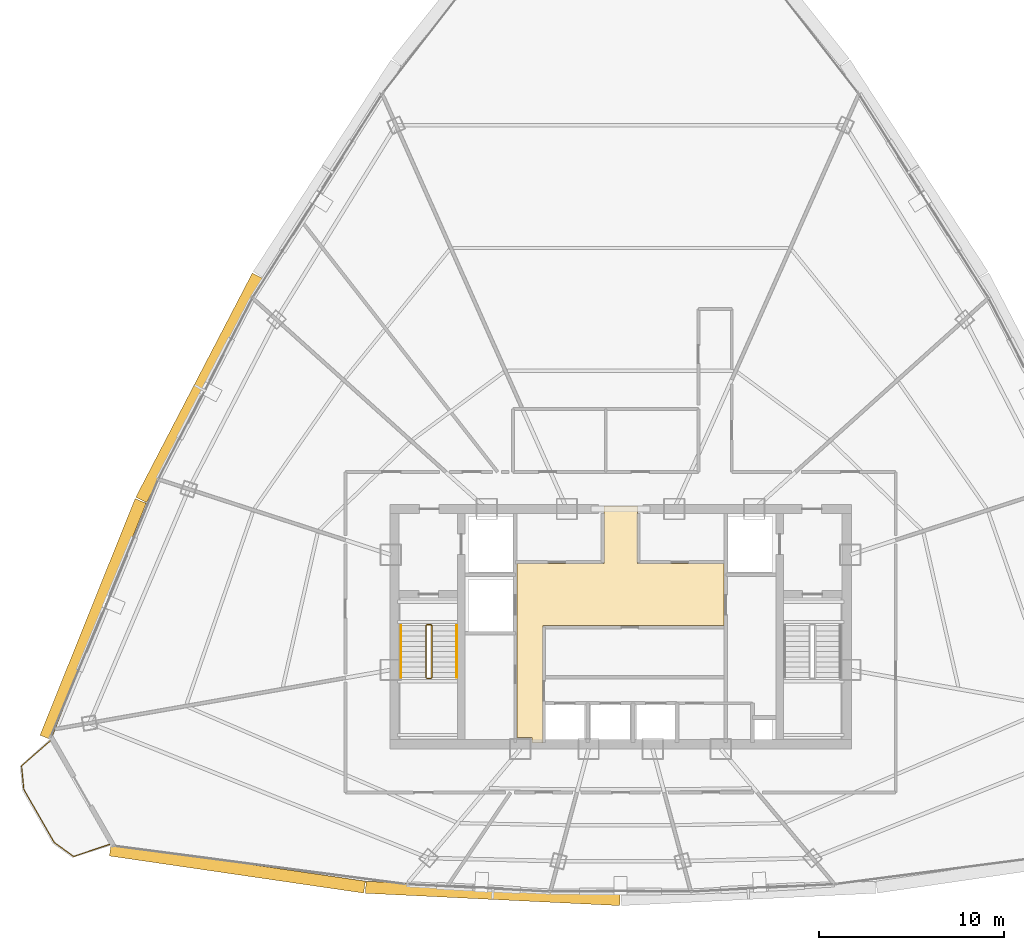
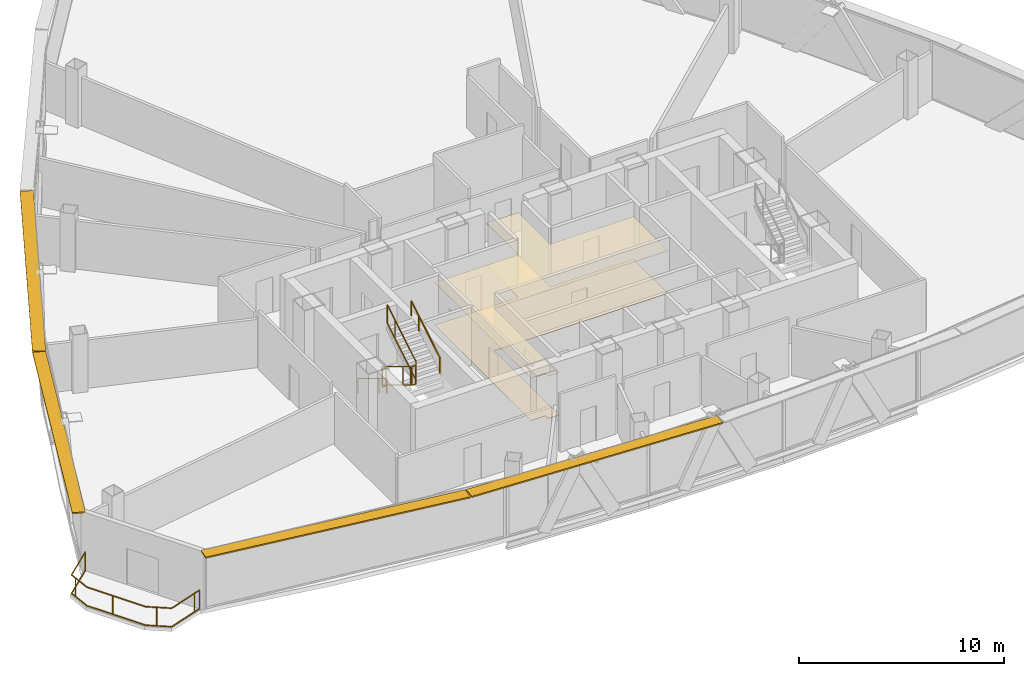
# One storey, part 31 of 33: 7 railings, 4 shading devices, 2 coverings.
"""IFC4 building model written with IfcOpenShell, lengths in metres."""

from ifc_helpers import new_model, si_unit, direction, frame, origin, origin_2d, place, context, subcontext, project, spatial, polyline, rectangle, outline, extrude, source, transform, mapped, material, layer, layer_set, type_object, element, save


model = new_model("IFC4")

# Units and contexts
model_context = context("Model", 3, precision=1e-05, world=origin(), true_north=direction((0.0, 1.0)))
body_context = subcontext(model_context, "Body", "Model", "MODEL_VIEW")
ifc_project = project(units=[si_unit("LENGTHUNIT", "METRE"), si_unit("AREAUNIT", "SQUARE_METRE"), si_unit("VOLUMEUNIT", "CUBIC_METRE"), si_unit("PLANEANGLEUNIT", "RADIAN"), si_unit("MASSUNIT", "GRAM", prefix="KILO"), si_unit("THERMODYNAMICTEMPERATUREUNIT", "KELVIN"), si_unit("POWERUNIT", "WATT")], contexts=[model_context])

# Site, building, storey
site_placement = place(None, origin())
site = spatial("IfcSite", under=ifc_project, at=site_placement, CompositionType="ELEMENT")
building_placement = place(site_placement, origin())
building = spatial("IfcBuilding", under=site, at=building_placement, Name="Yunzhuo Pagoda Commons", CompositionType="ELEMENT")
storey_placement = place(building_placement, frame((0.0, 0.0, 307.39990234375)))
storey = spatial("IfcBuildingStorey", under=building, at=storey_placement, Name="L77", CompositionType="ELEMENT", Elevation=307.39990234375)

# Coverings
ifc_material_1 = material(Name="Micro-perforated metal baffle ceiling")
ifc_layer_1 = layer(ifc_material_1, 0.034912109375)
ifc_layer_set_1 = layer_set([ifc_layer_1], Name="Micro-perforated metal baffle ceiling")
covering_type_1 = type_object("IfcCoveringType", Name="COV-CL3 Ceiling 35", PredefinedType="CEILING", material=ifc_layer_set_1)
covering_1_placement = place(storey_placement, frame((0.0, 0.0, 2.52001953125)))
element("IfcCovering", 1, at=covering_1_placement, inside=storey, type_object=covering_type_1, Name="L77 lift lobby acoustic ceiling", PredefinedType="CEILING", context=body_context, shape_type="SweptSolid", body=[
    extrude(outline(polyline([(43.207763671875, 27.85009765625), (43.201904296875, 27.864013671875), (43.187744140625, 27.8701171875), (42.39990234375, 27.8701171875), (42.39990234375, 33.89990234375), (42.39990234375, 37.25), (47.10009765625, 37.25), (47.10009765625, 40.35009765625), (48.89990234375, 40.35009765625), (48.89990234375, 37.25), (53.580078125, 37.25), (53.580078125, 33.89990234375), (43.820068359375, 33.89990234375), (43.820068359375, 27.60009765625), (43.207763671875, 27.60009765625), (43.207763671875, 27.85009765625)])), origin(), (0.0, 0.0, 1.0), 0.03515625),
])
ifc_material_2 = material(Name="Resilient acoustic studio flooring")
ifc_layer_2 = layer(ifc_material_2, 0.01806640625)
ifc_layer_set_2 = layer_set([ifc_layer_2], Name="Resilient acoustic studio flooring")
covering_type_2 = type_object("IfcCoveringType", Name="COV-FL3 Flooring 18", PredefinedType="FLOORING", material=ifc_layer_set_2)
covering_2_placement = place(storey_placement, origin())
element("IfcCovering", 2, at=covering_2_placement, inside=storey, type_object=covering_type_2, Name="L77 lift lobby flooring", PredefinedType="FLOORING", context=body_context, shape_type="SweptSolid", body=[
    extrude(outline(polyline([(43.207763671875, 27.85009765625), (43.201904296875, 27.864013671875), (43.187744140625, 27.8701171875), (42.39990234375, 27.8701171875), (42.39990234375, 33.89990234375), (42.39990234375, 37.25), (47.10009765625, 37.25), (47.10009765625, 40.35009765625), (48.89990234375, 40.35009765625), (48.89990234375, 37.25), (53.580078125, 37.25), (53.580078125, 33.89990234375), (43.820068359375, 33.89990234375), (43.820068359375, 27.60009765625), (43.207763671875, 27.60009765625), (43.207763671875, 27.85009765625)])), origin(), (0.0, 0.0, 1.0), 0.01806640625),
])

# Railings
ifc_material_3 = material(Name="Anodized aluminium 6063-T6", Category="aluminium")
railing_type_1 = type_object("IfcRailingType", Name="GR-ST1 Stair Well Guardrail 1150", PredefinedType="GUARDRAIL", material=ifc_material_3)
railing_1_placement = place(storey_placement, frame((37.5, 33.89990234375, 0.169677734375)))
element("IfcRailing", 3, at=railing_1_placement, inside=storey, type_object=railing_type_1, Name="L77 ST1 stair guard 1", PredefinedType="GUARDRAIL", context=body_context, shape_type="SweptSolid", body=[
    extrude(rectangle(XDim=0.048095703125, YDim=0.048095703125, at=origin_2d()), frame((0.0, 0.0, 1.1259765625), z_axis=(0.0, -0.855406155521, 0.517957825596), x_axis=(1.0, 0.0, 0.0)), (0.0, 0.0, 1.0), 3.27294921875),
    extrude(rectangle(XDim=0.048095703125, YDim=0.048095703125, at=origin_2d()), frame((0.0, 0.0, 0.02392578125), z_axis=(0.0, -0.855406155521, 0.517957825596), x_axis=(1.0, 0.0, 0.0)), (0.0, 0.0, 1.0), 3.27294921875),
    extrude(rectangle(XDim=0.0419921875, YDim=0.0419921875, at=origin_2d()), origin(), (0.0, 0.0, 1.0), 1.101806640625),
    extrude(rectangle(XDim=0.0419921875, YDim=0.0419921875, at=origin_2d()), frame((0.0, -2.052978515625, 1.2431640625)), (0.0, 0.0, 1.0), 1.101806640625),
    extrude(rectangle(XDim=0.0419921875, YDim=0.0419921875, at=origin_2d()), frame((0.0, -2.7998046875, 1.6953125)), (0.0, 0.0, 1.0), 1.101806640625),
])
railing_2_placement = place(storey_placement, frame((37.550048828125, 31.050048828125, 1.864990234375)))
element("IfcRailing", 4, at=railing_2_placement, inside=storey, type_object=railing_type_1, Name="L77 ST1 stair guard 2", PredefinedType="GUARDRAIL", context=body_context, shape_type="SweptSolid", body=[
    extrude(rectangle(XDim=0.048095703125, YDim=0.048095703125, at=origin_2d()), frame((0.0, 0.0, 1.1259765625), z_axis=(1.0, 0.0, 0.0), x_axis=(0.0, 1.0, 0.0)), (0.0, 0.0, 1.0), 0.199951171875),
    extrude(rectangle(XDim=0.048095703125, YDim=0.048095703125, at=origin_2d()), frame((0.0, 0.0, 0.02392578125), z_axis=(1.0, 0.0, 0.0), x_axis=(0.0, 1.0, 0.0)), (0.0, 0.0, 1.0), 0.199951171875),
    extrude(rectangle(XDim=0.0419921875, YDim=0.0419921875, at=origin_2d()), origin(), (0.0, 0.0, 1.0), 1.101806640625),
    extrude(rectangle(XDim=0.0419921875, YDim=0.0419921875, at=origin_2d()), frame((0.199951171875, 0.0, 0.0)), (0.0, 0.0, 1.0), 1.101806640625),
])
railing_3_placement = place(storey_placement, frame((37.800048828125, 31.10009765625, 2.03466796875)))
element("IfcRailing", 5, at=railing_3_placement, inside=storey, type_object=railing_type_1, Name="L77 ST1 stair guard 3", PredefinedType="GUARDRAIL", context=body_context, shape_type="SweptSolid", body=[
    extrude(rectangle(XDim=0.048095703125, YDim=0.048095703125, at=origin_2d()), frame((0.0, 0.0, 1.1259765625), z_axis=(0.0, 0.855406155521, 0.517957825596), x_axis=(-1.0, 0.0, 0.0)), (0.0, 0.0, 1.0), 3.27294921875),
    extrude(rectangle(XDim=0.048095703125, YDim=0.048095703125, at=origin_2d()), frame((0.0, 0.0, 0.02392578125), z_axis=(0.0, 0.855406155521, 0.517957825596), x_axis=(-1.0, 0.0, 0.0)), (0.0, 0.0, 1.0), 3.27294921875),
    extrude(rectangle(XDim=0.0419921875, YDim=0.0419921875, at=origin_2d()), origin(), (0.0, 0.0, 1.0), 1.101806640625),
    extrude(rectangle(XDim=0.0419921875, YDim=0.0419921875, at=origin_2d()), frame((0.0, 2.052978515625, 1.2431640625)), (0.0, 0.0, 1.0), 1.101806640625),
    extrude(rectangle(XDim=0.0419921875, YDim=0.0419921875, at=origin_2d()), frame((0.0, 2.7998046875, 1.6953125)), (0.0, 0.0, 1.0), 1.101806640625),
])
railing_4_placement = place(storey_placement, frame((37.550048828125, 33.949951171875, 0.0)))
element("IfcRailing", 6, at=railing_4_placement, inside=storey, type_object=railing_type_1, Name="L77 ST1 stair guard 4", PredefinedType="GUARDRAIL", context=body_context, shape_type="SweptSolid", body=[
    extrude(rectangle(XDim=0.048095703125, YDim=0.048095703125, at=origin_2d()), frame((0.0, 0.0, 1.1259765625), z_axis=(1.0, 0.0, 0.0), x_axis=(0.0, 1.0, 0.0)), (0.0, 0.0, 1.0), 0.199951171875),
    extrude(rectangle(XDim=0.048095703125, YDim=0.048095703125, at=origin_2d()), frame((0.0, 0.0, 0.02392578125), z_axis=(1.0, 0.0, 0.0), x_axis=(0.0, 1.0, 0.0)), (0.0, 0.0, 1.0), 0.199951171875),
    extrude(rectangle(XDim=0.0419921875, YDim=0.0419921875, at=origin_2d()), origin(), (0.0, 0.0, 1.0), 1.101806640625),
    extrude(rectangle(XDim=0.0419921875, YDim=0.0419921875, at=origin_2d()), frame((0.199951171875, 0.0, 0.0)), (0.0, 0.0, 1.0), 1.101806640625),
])
railing_type_2 = type_object("IfcRailingType", Name="HR-ST1 Stair Handrail 900", PredefinedType="HANDRAIL", material=ifc_material_3)
railing_5_placement = place(storey_placement, frame((36.14990234375, 33.89990234375, 0.169677734375)))
element("IfcRailing", 7, at=railing_5_placement, inside=storey, type_object=railing_type_2, Name="L77 ST1 stair handrail 1", PredefinedType="HANDRAIL", context=body_context, shape_type="SweptSolid", body=[
    extrude(rectangle(XDim=0.048095703125, YDim=0.048095703125, at=origin_2d()), frame((0.0, 0.0, 0.8759765625), z_axis=(0.0, -0.855406155521, 0.517957825596), x_axis=(1.0, 0.0, 0.0)), (0.0, 0.0, 1.0), 3.27294921875),
    extrude(rectangle(XDim=0.0419921875, YDim=0.0419921875, at=origin_2d()), origin(), (0.0, 0.0, 1.0), 0.851806640625),
    extrude(rectangle(XDim=0.0419921875, YDim=0.0419921875, at=origin_2d()), frame((0.0, -2.052978515625, 1.2431640625)), (0.0, 0.0, 1.0), 0.851806640625),
    extrude(rectangle(XDim=0.0419921875, YDim=0.0419921875, at=origin_2d()), frame((0.0, -2.7998046875, 1.6953125)), (0.0, 0.0, 1.0), 0.851806640625),
])
railing_6_placement = place(storey_placement, frame((39.14990234375, 31.10009765625, 2.03466796875)))
element("IfcRailing", 8, at=railing_6_placement, inside=storey, type_object=railing_type_2, Name="L77 ST1 stair handrail 2", PredefinedType="HANDRAIL", context=body_context, shape_type="SweptSolid", body=[
    extrude(rectangle(XDim=0.048095703125, YDim=0.048095703125, at=origin_2d()), frame((0.0, 0.0, 0.8759765625), z_axis=(0.0, 0.855406155521, 0.517957825596), x_axis=(-1.0, 0.0, 0.0)), (0.0, 0.0, 1.0), 3.27294921875),
    extrude(rectangle(XDim=0.0419921875, YDim=0.0419921875, at=origin_2d()), origin(), (0.0, 0.0, 1.0), 0.851806640625),
    extrude(rectangle(XDim=0.0419921875, YDim=0.0419921875, at=origin_2d()), frame((0.0, 2.052978515625, 1.2431640625)), (0.0, 0.0, 1.0), 0.851806640625),
    extrude(rectangle(XDim=0.0419921875, YDim=0.0419921875, at=origin_2d()), frame((0.0, 2.7998046875, 1.6953125)), (0.0, 0.0, 1.0), 0.851806640625),
])
railing_type_3 = type_object("IfcRailingType", Name="RL-BAL1 Exterior Terrace & Balcony Balustrade 1150", PredefinedType="BALUSTRADE", material=ifc_material_3)
railing_7_placement = place(storey_placement, frame((17.22509765625, 27.6923828125, 0.0)))
element("IfcRailing", 9, at=railing_7_placement, inside=storey, type_object=railing_type_3, Name="L77 corner balcony balustrade V1", PredefinedType="BALUSTRADE", context=body_context, shape_type="SweptSolid", body=[
    extrude(rectangle(XDim=0.048095703125, YDim=0.048095703125, at=origin_2d()), frame((0.0, 0.0, 1.1259765625), z_axis=(-0.753933830692, -0.656950362614, 0.0), x_axis=(0.656950362614, -0.753933830692, 0.0)), (0.0, 0.0, 1.0), 2.05908203125),
    extrude(rectangle(XDim=0.048095703125, YDim=0.048095703125, at=origin_2d()), frame((0.0, 0.0, 0.02392578125), z_axis=(-0.753933830692, -0.656950362614, 0.0), x_axis=(0.656950362614, -0.753933830692, 0.0)), (0.0, 0.0, 1.0), 2.05908203125),
    extrude(rectangle(XDim=0.048095703125, YDim=0.048095703125, at=origin_2d()), frame((-1.552490234375, -1.352783203125, 1.1259765625), z_axis=(0.095929580564, -0.995388123082, 0.0), x_axis=(0.995388123082, 0.095929580564, 0.0)), (0.0, 0.0, 1.0), 1.28515625),
    extrude(rectangle(XDim=0.048095703125, YDim=0.048095703125, at=origin_2d()), frame((-1.552490234375, -1.352783203125, 0.02392578125), z_axis=(0.095929580564, -0.995388123082, 0.0), x_axis=(0.995388123082, 0.095929580564, 0.0)), (0.0, 0.0, 1.0), 1.28515625),
    extrude(rectangle(XDim=0.048095703125, YDim=0.048095703125, at=origin_2d()), frame((-1.42919921875, -2.632080078125, 1.1259765625), z_axis=(0.497913868519, -0.867226486874, 0.0), x_axis=(0.867226486874, 0.497913868519, 0.0)), (0.0, 0.0, 1.0), 3.30126953125),
    extrude(rectangle(XDim=0.048095703125, YDim=0.048095703125, at=origin_2d()), frame((-1.42919921875, -2.632080078125, 0.02392578125), z_axis=(0.497913868519, -0.867226486874, 0.0), x_axis=(0.867226486874, 0.497913868519, 0.0)), (0.0, 0.0, 1.0), 3.30126953125),
    extrude(rectangle(XDim=0.048095703125, YDim=0.048095703125, at=origin_2d()), frame((0.214599609375, -5.4951171875, 1.1259765625), z_axis=(0.811274857139, -0.584664952066, 0.0), x_axis=(0.584664952066, 0.811274857139, 0.0)), (0.0, 0.0, 1.0), 1.285400390625),
    extrude(rectangle(XDim=0.048095703125, YDim=0.048095703125, at=origin_2d()), frame((0.214599609375, -5.4951171875, 0.02392578125), z_axis=(0.811274857139, -0.584664952066, 0.0), x_axis=(0.584664952066, 0.811274857139, 0.0)), (0.0, 0.0, 1.0), 1.285400390625),
    extrude(rectangle(XDim=0.048095703125, YDim=0.048095703125, at=origin_2d()), frame((1.25732421875, -6.24658203125, 1.1259765625), z_axis=(0.947383113487, 0.320101915457, 0.0), x_axis=(-0.320101915457, 0.947383113487, 0.0)), (0.0, 0.0, 1.0), 2.059326171875),
    extrude(rectangle(XDim=0.048095703125, YDim=0.048095703125, at=origin_2d()), frame((1.25732421875, -6.24658203125, 0.02392578125), z_axis=(0.947383113487, 0.320101915457, 0.0), x_axis=(-0.320101915457, 0.947383113487, 0.0)), (0.0, 0.0, 1.0), 2.059326171875),
    extrude(rectangle(XDim=0.0419921875, YDim=0.0419921875, at=origin_2d()), origin(), (0.0, 0.0, 1.0), 1.101806640625),
    extrude(rectangle(XDim=0.0419921875, YDim=0.0419921875, at=origin_2d()), frame((-1.519775390625, -1.692138671875, 0.0)), (0.0, 0.0, 1.0), 1.101806640625),
    extrude(rectangle(XDim=0.0419921875, YDim=0.0419921875, at=origin_2d()), frame((-0.704345703125, -3.894287109375, 0.0)), (0.0, 0.0, 1.0), 1.101806640625),
    extrude(rectangle(XDim=0.0419921875, YDim=0.0419921875, at=origin_2d()), frame((0.664306640625, -5.819091796875, 0.0)), (0.0, 0.0, 1.0), 1.101806640625),
    extrude(rectangle(XDim=0.0419921875, YDim=0.0419921875, at=origin_2d()), frame((2.83837890625, -5.71240234375, 0.0)), (0.0, 0.0, 1.0), 1.101806640625),
    extrude(rectangle(XDim=0.0419921875, YDim=0.0419921875, at=origin_2d()), frame((3.208251953125, -5.58740234375, 0.0)), (0.0, 0.0, 1.0), 1.101806640625),
])

# Shading devices
ifc_layer_3 = layer(ifc_material_3, 0.080078125)
ifc_layer_set_3 = layer_set([ifc_layer_3], Name="Anodized aluminium 6063-T6")
shading_device_type = type_object("IfcShadingDeviceType", Name="SH-SUN1 Pagoda Horizontal Sunshade Eave 650", PredefinedType="USERDEFINED", material=ifc_layer_set_3)
shared_shape_1 = source(origin(), body_context, "Body", "SweptSolid", [
    extrude(rectangle(XDim=13.869384765625, YDim=0.64990234375, at=origin_2d()), origin(), (0.0, 0.0, 1.0), 0.080078125),
])
shading_device_1_placement = place(storey_placement, frame((27.3203125, 20.79345703125, 3.39013671875), z_axis=(0.0, 0.0, 1.0), x_axis=(0.989510666697, -0.144459823108, 0.0)))
element("IfcShadingDevice", 10, at=shading_device_1_placement, inside=storey, type_object=shading_device_type, Name="L77 horizontal pagoda sunshade eave F1.1", ObjectType="SUNSHADE", PredefinedType="USERDEFINED", context=body_context, shape_type="MappedRepresentation", body=[
    mapped(shared_shape_1, transform((0.0, 0.0, 0.0), scale=1.0)),
])
shared_shape_2 = source(origin(), body_context, "Body", "SweptSolid", [
    extrude(rectangle(XDim=13.73974609375, YDim=0.64990234375, at=origin_2d()), origin(), (0.0, 0.0, 1.0), 0.080078125),
])
shading_device_2_placement = place(storey_placement, frame((41.106689453125, 19.45166015625, 3.39013671875), z_axis=(0.0, 0.0, 1.0), x_axis=(0.998818043775, -0.04860571396, 0.0)))
element("IfcShadingDevice", 11, at=shading_device_2_placement, inside=storey, type_object=shading_device_type, Name="L77 horizontal pagoda sunshade eave F1.2", ObjectType="SUNSHADE", PredefinedType="USERDEFINED", context=body_context, shape_type="MappedRepresentation", body=[
    mapped(shared_shape_2, transform((0.0, 0.0, 0.0), scale=1.0)),
])
shared_shape_3 = source(origin(), body_context, "Body", "SweptSolid", [
    extrude(rectangle(XDim=13.7578125, YDim=0.64990234375, at=origin_2d()), origin(), (0.0, 0.0, 1.0), 0.080078125),
])
shading_device_3_placement = place(storey_placement, frame((19.535888671875, 34.252197265625, 3.39013671875), z_axis=(0.0, 0.0, 1.0), x_axis=(-0.372987782576, -0.927836253899, 0.0)))
element("IfcShadingDevice", 12, at=shading_device_3_placement, inside=storey, type_object=shading_device_type, Name="L77 horizontal pagoda sunshade eave F3.4", ObjectType="SUNSHADE", PredefinedType="USERDEFINED", context=body_context, shape_type="MappedRepresentation", body=[
    mapped(shared_shape_3, transform((0.0, 0.0, 0.0), scale=1.0)),
])
shared_shape_4 = source(origin(), body_context, "Body", "SweptSolid", [
    extrude(rectangle(XDim=13.627197265625, YDim=0.64990234375, at=origin_2d()), origin(), (0.0, 0.0, 1.0), 0.080078125),
])
shading_device_4_placement = place(storey_placement, frame((25.2705078125, 46.73779296875, 3.39013671875), z_axis=(0.0, 0.0, 1.0), x_axis=(-0.461206683033, -0.88729273384, 0.0)))
element("IfcShadingDevice", 13, at=shading_device_4_placement, inside=storey, type_object=shading_device_type, Name="L77 horizontal pagoda sunshade eave F3.3", ObjectType="SUNSHADE", PredefinedType="USERDEFINED", context=body_context, shape_type="MappedRepresentation", body=[
    mapped(shared_shape_4, transform((0.0, 0.0, 0.0), scale=1.0)),
])

save(model, "model.ifc")
